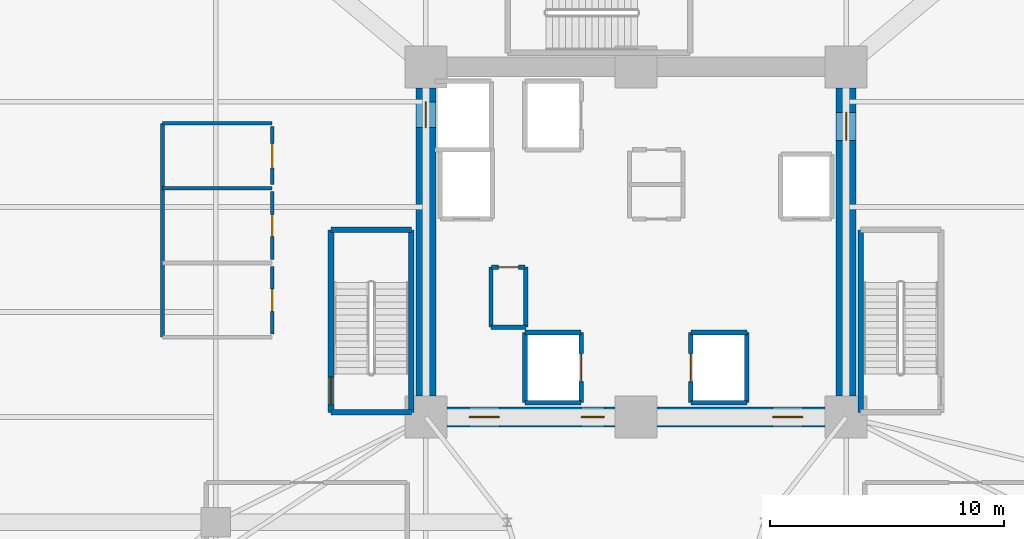
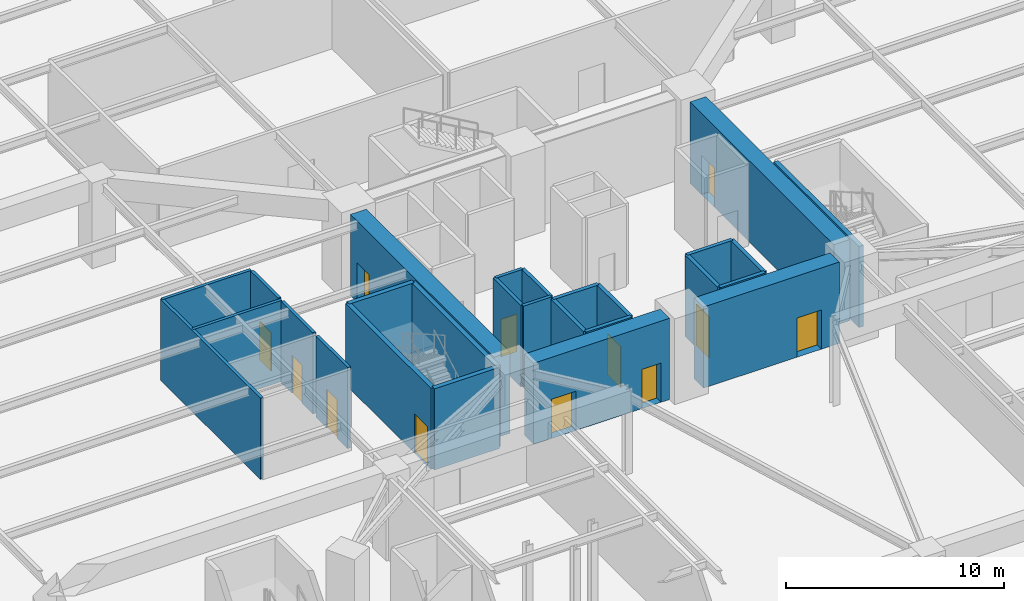
# One storey, part 12 of 20: 27 walls, 12 doors, 12 openings.
"""IFC4 building model written with IfcOpenShell, lengths in metres."""

from ifc_helpers import new_model, si_unit, direction, frame, frame_2d, origin, place, context, subcontext, project, spatial, rectangle, extrude, source, transform, mapped, material, layer, layer_set, type_object, element, fill, save


model = new_model("IFC4")

# Units and contexts
model_context = context("Model", 3, precision=1e-05, world=origin(), true_north=direction((0.0, 1.0)))
body_context = subcontext(model_context, "Body", "Model", "MODEL_VIEW")
ifc_project = project(units=[si_unit("LENGTHUNIT", "METRE"), si_unit("AREAUNIT", "SQUARE_METRE"), si_unit("VOLUMEUNIT", "CUBIC_METRE"), si_unit("PLANEANGLEUNIT", "RADIAN"), si_unit("MASSUNIT", "GRAM", prefix="KILO")], contexts=[model_context])

# Site, building, storey
site_placement = place(None, origin())
site = spatial("IfcSite", under=ifc_project, at=site_placement, CompositionType="ELEMENT")
building_placement = place(site_placement, origin())
building = spatial("IfcBuilding", under=site, at=building_placement, Name="Liaohun Quay Tower", CompositionType="ELEMENT")
storey_placement = place(building_placement, frame((0.0, 0.0, -4.800048828125)))
storey = spatial("IfcBuildingStorey", under=building, at=storey_placement, Name="B1", CompositionType="ELEMENT", Elevation=-4.800048828125)

# Wall, opening, door
ifc_material_1 = material(Name="Concrete C60", Category="concrete")
ifc_layer_1 = layer(ifc_material_1, 0.85009765625, Name="Concrete C60", Category="concrete")
ifc_layer_set_1 = layer_set([ifc_layer_1], Name="Concrete C60")
wall_type_1 = type_object("IfcWallType", Name="WAL-COR-Z1", PredefinedType="SHEAR", material=ifc_layer_set_1)
wall_1_placement = place(storey_placement, frame((69.0, 60.60009765625, 0.0), z_axis=(0.0, 0.0, 1.0), x_axis=(0.0, -1.0, 0.0)))
wall_1 = element("IfcWall", 1, at=wall_1_placement, inside=storey, type_object=wall_type_1, Name="B1 Central Core Shear Wall E", PredefinedType="SHEAR", context=body_context, shape_type="SweptSolid", body=[
    extrude(rectangle(XDim=13.2001953125, YDim=0.85009765625, at=frame_2d((6.60009765625, 0.0))), origin(), (0.0, 0.0, 1.0), 4.550048828125),
])
shared_shape_1 = source(origin(), body_context, "Body", "SweptSolid", [
    extrude(rectangle(XDim=1.199951171875, YDim=2.199951171875, at=frame_2d((0.60009765625, 1.10009765625))), frame((0.0, 0.43505859375, 0.0), z_axis=(0.0, -1.0, 0.0), x_axis=(1.0, 0.0, 0.0)), (0.0, 0.0, 1.0), 0.8701171875),
])
opening_1_placement = place(wall_1_placement, frame((1.050048828125, 0.0, 0.0)))
opening_1 = element("IfcOpeningElement", 2, at=opening_1_placement, cuts=wall_1, Name="Opening SD1", PredefinedType="OPENING", context=body_context, shape_type="MappedRepresentation", body=[
    mapped(shared_shape_1, transform((0.0, 0.0, 0.0), x_axis=(1.0, 0.0, 0.0), y_axis=(0.0, 1.0, 0.0), z_axis=(0.0, 0.0, 1.0), scale=1.0)),
])
ifc_material_2 = material(Name="Galvanised steel fire door", Category="steel")
door_type_1 = type_object("IfcDoorType", Name="DOR-STR-1200", OperationType="NOTDEFINED", PredefinedType="DOOR", material=ifc_material_2)
shared_shape_2 = source(origin(), body_context, "Body", "SweptSolid", [
    extrude(rectangle(XDim=1.199951171875, YDim=2.199951171875, at=frame_2d((0.60009765625, 1.10009765625))), frame((0.0, 0.02490234375, 0.0), z_axis=(0.0, -1.0, 0.0), x_axis=(1.0, 0.0, 0.0)), (0.0, 0.0, 1.0), 0.050048828125),
])
door_1_placement = place(opening_1_placement, origin())
door_1 = element("IfcDoor", 3, at=door_1_placement, inside=storey, type_object=door_type_1, Name="B1 North-East Core Lobby Smokeproof Door", OperationType="SINGLE_SWING_LEFT", OverallHeight=2.199951171875, OverallWidth=1.199951171875, PredefinedType="DOOR", context=body_context, shape_type="MappedRepresentation", body=[
    mapped(shared_shape_2, transform((0.0, 0.0, 0.0), x_axis=(1.0, 0.0, 0.0), y_axis=(0.0, 1.0, 0.0), z_axis=(0.0, 0.0, 1.0), scale=1.0)),
])
fill(opening_1, door_1)

wall_2_placement = place(storey_placement, frame((68.10009765625, 46.5, 0.0), z_axis=(0.0, 0.0, 1.0), x_axis=(-1.0, 0.0, 0.0)))
wall_2 = element("IfcWall", 4, at=wall_2_placement, inside=storey, type_object=wall_type_1, Name="B1 Central Core Shear Wall S-E", PredefinedType="SHEAR", context=body_context, shape_type="SweptSolid", body=[
    extrude(rectangle(XDim=7.2001953125, YDim=0.85009765625, at=frame_2d((3.60009765625, 0.0))), origin(), (0.0, 0.0, 1.0), 4.550048828125),
])
shared_shape_3 = source(origin(), body_context, "Body", "SweptSolid", [
    extrude(rectangle(XDim=1.300048828125, YDim=2.199951171875, at=frame_2d((0.64990234375, 1.10009765625))), frame((0.0, 0.43505859375, 0.0), z_axis=(0.0, -1.0, 0.0), x_axis=(1.0, 0.0, 0.0)), (0.0, 0.0, 1.0), 0.8701171875),
])
opening_2_placement = place(wall_2_placement, frame((0.949951171875, 0.0, 0.0)))
opening_2 = element("IfcOpeningElement", 5, at=opening_2_placement, cuts=wall_2, Name="Opening FD1", PredefinedType="OPENING", context=body_context, shape_type="MappedRepresentation", body=[
    mapped(shared_shape_3, transform((0.0, 0.0, 0.0), x_axis=(1.0, 0.0, 0.0), y_axis=(0.0, 1.0, 0.0), z_axis=(0.0, 0.0, 1.0), scale=1.0)),
])
ifc_material_3 = material(Name="Galvanised steel smokeproof fire door", Category="steel")
door_type_2 = type_object("IfcDoorType", Name="DOR-FFL-1300", OperationType="NOTDEFINED", PredefinedType="DOOR", material=ifc_material_3)
shared_shape_4 = source(origin(), body_context, "Body", "SweptSolid", [
    extrude(rectangle(XDim=1.300048828125, YDim=2.199951171875, at=frame_2d((0.64990234375, 1.10009765625))), frame((0.0, 0.02490234375, 0.0), z_axis=(0.0, -1.0, 0.0), x_axis=(1.0, 0.0, 0.0)), (0.0, 0.0, 1.0), 0.050048828125),
])
door_2_placement = place(opening_2_placement, origin())
door_2 = element("IfcDoor", 6, at=door_2_placement, inside=storey, type_object=door_type_2, Name="B1 East Core Lift Lobby Smokeproof Door", OperationType="SINGLE_SWING_LEFT", OverallHeight=2.199951171875, OverallWidth=1.300048828125, PredefinedType="DOOR", context=body_context, shape_type="MappedRepresentation", body=[
    mapped(shared_shape_4, transform((0.0, 0.0, 0.0), x_axis=(1.0, 0.0, 0.0), y_axis=(0.0, 1.0, 0.0), z_axis=(0.0, 0.0, 1.0), scale=1.0)),
])
fill(opening_2, door_2)

# Wall, openings, doors
wall_3_placement = place(storey_placement, frame((59.10009765625, 46.5, 0.0), z_axis=(0.0, 0.0, 1.0), x_axis=(-1.0, 0.0, 0.0)))
wall_3 = element("IfcWall", 7, at=wall_3_placement, inside=storey, type_object=wall_type_1, Name="B1 Central Core Shear Wall S-W", PredefinedType="SHEAR", context=body_context, shape_type="SweptSolid", body=[
    extrude(rectangle(XDim=7.2001953125, YDim=0.85009765625, at=frame_2d((3.60009765625, 0.0))), origin(), (0.0, 0.0, 1.0), 4.550048828125),
])
opening_3_placement = place(wall_3_placement, frame((4.949951171875, 0.0, 0.0)))
opening_3 = element("IfcOpeningElement", 8, at=opening_3_placement, cuts=wall_3, Name="Opening FD1", PredefinedType="OPENING", context=body_context, shape_type="MappedRepresentation", body=[
    mapped(shared_shape_3, transform((0.0, 0.0, 0.0), x_axis=(1.0, 0.0, 0.0), y_axis=(0.0, 1.0, 0.0), z_axis=(0.0, 0.0, 1.0), scale=1.0)),
])
shared_shape_5 = source(origin(), body_context, "Body", "SweptSolid", [
    extrude(rectangle(XDim=1.0, YDim=2.199951171875, at=frame_2d((0.5, 1.10009765625))), frame((0.0, 0.43505859375, 0.0), z_axis=(0.0, -1.0, 0.0), x_axis=(1.0, 0.0, 0.0)), (0.0, 0.0, 1.0), 0.8701171875),
])
opening_4_placement = place(wall_3_placement, frame((0.449951171875, 0.0, 0.0)))
opening_4 = element("IfcOpeningElement", 9, at=opening_4_placement, cuts=wall_3, Name="Opening FD2", PredefinedType="OPENING", context=body_context, shape_type="MappedRepresentation", body=[
    mapped(shared_shape_5, transform((0.0, 0.0, 0.0), x_axis=(1.0, 0.0, 0.0), y_axis=(0.0, 1.0, 0.0), z_axis=(0.0, 0.0, 1.0), scale=1.0)),
])
door_3_placement = place(opening_3_placement, origin())
door_3 = element("IfcDoor", 10, at=door_3_placement, inside=storey, type_object=door_type_2, Name="B1 West Core Lift Lobby Smokeproof Door", OperationType="SINGLE_SWING_RIGHT", OverallHeight=2.199951171875, OverallWidth=1.300048828125, PredefinedType="DOOR", context=body_context, shape_type="MappedRepresentation", body=[
    mapped(shared_shape_4, transform((0.0, 0.0, 0.0), x_axis=(1.0, 0.0, 0.0), y_axis=(0.0, 1.0, 0.0), z_axis=(0.0, 0.0, 1.0), scale=1.0)),
])
fill(opening_3, door_3)
ifc_material_4 = material(Name="Galvanised steel smokeproof lobby fire door", Category="steel")
door_type_3 = type_object("IfcDoorType", Name="DOR-FFL-1000", OperationType="NOTDEFINED", PredefinedType="DOOR", material=ifc_material_4)
shared_shape_6 = source(origin(), body_context, "Body", "SweptSolid", [
    extrude(rectangle(XDim=1.0, YDim=2.199951171875, at=frame_2d((0.5, 1.10009765625))), frame((0.0, 0.02490234375, 0.0), z_axis=(0.0, -1.0, 0.0), x_axis=(1.0, 0.0, 0.0)), (0.0, 0.0, 1.0), 0.050048828125),
])
door_4_placement = place(opening_4_placement, origin())
door_4 = element("IfcDoor", 11, at=door_4_placement, inside=storey, type_object=door_type_3, Name="B1 South Firefighting Lobby Smokeproof Door", OperationType="SINGLE_SWING_LEFT", OverallHeight=2.199951171875, OverallWidth=1.0, PredefinedType="DOOR", context=body_context, shape_type="MappedRepresentation", body=[
    mapped(shared_shape_6, transform((0.0, 0.0, 0.0), x_axis=(1.0, 0.0, 0.0), y_axis=(0.0, 1.0, 0.0), z_axis=(0.0, 0.0, 1.0), scale=1.0)),
])
fill(opening_4, door_4)

# Wall, opening, door
wall_4_placement = place(storey_placement, frame((51.0, 47.39990234375, 0.0), z_axis=(0.0, 0.0, 1.0), x_axis=(0.0, 1.0, 0.0)))
wall_4 = element("IfcWall", 12, at=wall_4_placement, inside=storey, type_object=wall_type_1, Name="B1 Central Core Shear Wall W", PredefinedType="SHEAR", context=body_context, shape_type="SweptSolid", body=[
    extrude(rectangle(XDim=13.2001953125, YDim=0.85009765625, at=frame_2d((6.60009765625, 0.0))), origin(), (0.0, 0.0, 1.0), 4.550048828125),
])
shared_shape_7 = source(origin(), body_context, "Body", "SweptSolid", [
    extrude(rectangle(XDim=1.10009765625, YDim=2.199951171875, at=frame_2d((0.550048828125, 1.10009765625))), frame((0.0, 0.43505859375, 0.0), z_axis=(0.0, -1.0, 0.0), x_axis=(1.0, 0.0, 0.0)), (0.0, 0.0, 1.0), 0.8701171875),
])
opening_5_placement = place(wall_4_placement, frame((11.5, 0.0, 0.0)))
opening_5 = element("IfcOpeningElement", 13, at=opening_5_placement, cuts=wall_4, Name="Opening LD1", PredefinedType="OPENING", context=body_context, shape_type="MappedRepresentation", body=[
    mapped(shared_shape_7, transform((0.0, 0.0, 0.0), x_axis=(1.0, 0.0, 0.0), y_axis=(0.0, 1.0, 0.0), z_axis=(0.0, 0.0, 1.0), scale=1.0)),
])
ifc_material_5 = material(Name="Brushed stainless steel landing door", Category="steel")
door_type_4 = type_object("IfcDoorType", Name="DOR-LFT-1100", OperationType="SLIDING_TO_LEFT", PredefinedType="DOOR", material=ifc_material_5)
shared_shape_8 = source(origin(), body_context, "Body", "SweptSolid", [
    extrude(rectangle(XDim=1.10009765625, YDim=2.199951171875, at=frame_2d((0.550048828125, 1.10009765625))), frame((0.0, 0.02490234375, 0.0), z_axis=(0.0, -1.0, 0.0), x_axis=(1.0, 0.0, 0.0)), (0.0, 0.0, 1.0), 0.050048828125),
])
door_5_placement = place(opening_5_placement, origin())
door_5 = element("IfcDoor", 14, at=door_5_placement, inside=storey, type_object=door_type_4, Name="B1 Lift SH-01 Sliding Landing Door", OperationType="SLIDING_TO_LEFT", OverallHeight=2.199951171875, OverallWidth=1.10009765625, PredefinedType="DOOR", context=body_context, shape_type="MappedRepresentation", body=[
    mapped(shared_shape_8, transform((0.0, 0.0, 0.0), x_axis=(1.0, 0.0, 0.0), y_axis=(0.0, 1.0, 0.0), z_axis=(0.0, 0.0, 1.0), scale=1.0)),
])
fill(opening_5, door_5)

ifc_material_6 = material(Name="Autoclaved aerated concrete blockwork", Category="masonry")
ifc_layer_2 = layer(ifc_material_6, 0.179931640625, Name="Autoclaved aerated concrete blockwork", Category="masonry")
ifc_layer_set_2 = layer_set([ifc_layer_2], Name="Autoclaved aerated concrete blockwork")
wall_type_2 = type_object("IfcWallType", Name="WAL-PRT-COR", PredefinedType="PARTITIONING", material=ifc_layer_set_2)
wall_5_placement = place(storey_placement, frame((53.820068359375, 52.919921875, 0.0), z_axis=(0.0, 0.0, 1.0), x_axis=(1.0, 0.0, 0.0)))
wall_5 = element("IfcWall", 15, at=wall_5_placement, inside=storey, type_object=wall_type_2, Name="B1 Interior Partition Wall 003", PredefinedType="PARTITIONING", context=body_context, shape_type="SweptSolid", body=[
    extrude(rectangle(XDim=1.429931640625, YDim=0.179931640625, at=frame_2d((0.71484375, 0.0))), origin(), (0.0, 0.0, 1.0), 4.550048828125),
])
shared_shape_9 = source(origin(), body_context, "Body", "SweptSolid", [
    extrude(rectangle(XDim=0.85009765625, YDim=2.10009765625, at=frame_2d((0.425048828125, 1.050048828125))), frame((0.0, 0.099853515625, 0.0), z_axis=(0.0, -1.0, 0.0), x_axis=(1.0, 0.0, 0.0)), (0.0, 0.0, 1.0), 0.199951171875),
])
opening_6_placement = place(wall_5_placement, frame((0.2900390625, 0.0, 0.0)))
opening_6 = element("IfcOpeningElement", 16, at=opening_6_placement, cuts=wall_5, Name="Opening AD1", PredefinedType="OPENING", context=body_context, shape_type="MappedRepresentation", body=[
    mapped(shared_shape_9, transform((0.0, 0.0, 0.0), x_axis=(1.0, 0.0, 0.0), y_axis=(0.0, 1.0, 0.0), z_axis=(0.0, 0.0, 1.0), scale=1.0)),
])
ifc_material_7 = material(Name="Steel riser inspection fire door", Category="steel")
door_type_5 = type_object("IfcDoorType", Name="DOR-SHF-850", OperationType="NOTDEFINED", PredefinedType="DOOR", material=ifc_material_7)
shared_shape_10 = source(origin(), body_context, "Body", "SweptSolid", [
    extrude(rectangle(XDim=0.85009765625, YDim=2.10009765625, at=frame_2d((0.425048828125, 1.050048828125))), frame((0.0, 0.02490234375, 0.0), z_axis=(0.0, -1.0, 0.0), x_axis=(1.0, 0.0, 0.0)), (0.0, 0.0, 1.0), 0.050048828125),
])
door_6_placement = place(opening_6_placement, origin())
door_6 = element("IfcDoor", 17, at=door_6_placement, inside=storey, type_object=door_type_5, Name="B1 Core Fire Hose and Riser Closet Door", OperationType="SINGLE_SWING_RIGHT", OverallHeight=2.10009765625, OverallWidth=0.85009765625, PredefinedType="DOOR", context=body_context, shape_type="MappedRepresentation", body=[
    mapped(shared_shape_10, transform((0.0, 0.0, 0.0), x_axis=(1.0, 0.0, 0.0), y_axis=(0.0, 1.0, 0.0), z_axis=(0.0, 0.0, 1.0), scale=1.0)),
])
fill(opening_6, door_6)

# Walls
wall_6_placement = place(storey_placement, frame((53.7900390625, 50.35009765625, 0.0), z_axis=(0.0, 0.0, 1.0), x_axis=(0.0, 1.0, 0.0)))
element("IfcWall", 18, at=wall_6_placement, inside=storey, type_object=wall_type_2, Name="B1 Interior Partition Wall 014", PredefinedType="PARTITIONING", context=body_context, shape_type="SweptSolid", body=[
    extrude(rectangle(XDim=2.56982421875, YDim=0.179931640625, at=frame_2d((1.284912109375, 0.0))), origin(), (0.0, 0.0, 1.0), 4.550048828125),
])
wall_7_placement = place(storey_placement, frame((53.7900390625, 50.35009765625, 0.0), z_axis=(0.0, 0.0, 1.0), x_axis=(1.0, 0.0, 0.0)))
element("IfcWall", 19, at=wall_7_placement, inside=storey, type_object=wall_type_2, Name="B1 Interior Partition Wall 015", PredefinedType="PARTITIONING", context=body_context, shape_type="SweptSolid", body=[
    extrude(rectangle(XDim=1.489990234375, YDim=0.179931640625, at=frame_2d((0.7451171875, 0.0))), origin(), (0.0, 0.0, 1.0), 4.550048828125),
])
wall_8_placement = place(storey_placement, frame((55.280029296875, 50.35009765625, 0.0), z_axis=(0.0, 0.0, 1.0), x_axis=(0.0, 1.0, 0.0)))
element("IfcWall", 20, at=wall_8_placement, inside=storey, type_object=wall_type_2, Name="B1 Interior Partition Wall 016", PredefinedType="PARTITIONING", context=body_context, shape_type="SweptSolid", body=[
    extrude(rectangle(XDim=2.56982421875, YDim=0.179931640625, at=frame_2d((1.284912109375, 0.0))), origin(), (0.0, 0.0, 1.0), 4.550048828125),
])

# Wall, opening, door
ifc_material_8 = material(Name="Moisture-resistant masonry blockwork", Category="masonry")
ifc_layer_3 = layer(ifc_material_8, 0.159912109375, Name="Moisture-resistant masonry blockwork", Category="masonry")
ifc_layer_set_3 = layer_set([ifc_layer_3], Name="Moisture-resistant masonry blockwork")
wall_type_3 = type_object("IfcWallType", Name="WAL-PRT-WET", PredefinedType="PARTITIONING", material=ifc_layer_set_3)
wall_9_placement = place(storey_placement, frame((44.419921875, 50.050048828125, 0.0), z_axis=(0.0, 0.0, 1.0), x_axis=(0.0, 1.0, 0.0)))
wall_9 = element("IfcWall", 21, at=wall_9_placement, inside=storey, type_object=wall_type_3, Name="B1 Interior Partition Wall 004", PredefinedType="PARTITIONING", context=body_context, shape_type="SweptSolid", body=[
    extrude(rectangle(XDim=2.89990234375, YDim=0.159912109375, at=frame_2d((1.449951171875, 0.0))), origin(), (0.0, 0.0, 1.0), 4.550048828125),
])
shared_shape_11 = source(origin(), body_context, "Body", "SweptSolid", [
    extrude(rectangle(XDim=0.949951171875, YDim=2.14990234375, at=frame_2d((0.47509765625, 1.074951171875))), frame((0.0, 0.08984375, 0.0), z_axis=(0.0, -1.0, 0.0), x_axis=(1.0, 0.0, 0.0)), (0.0, 0.0, 1.0), 0.179931640625),
])
opening_7_placement = place(wall_9_placement, frame((0.97509765625, 0.0, 0.0)))
opening_7 = element("IfcOpeningElement", 22, at=opening_7_placement, cuts=wall_9, Name="Opening WD1", PredefinedType="OPENING", context=body_context, shape_type="MappedRepresentation", body=[
    mapped(shared_shape_11, transform((0.0, 0.0, 0.0), x_axis=(1.0, 0.0, 0.0), y_axis=(0.0, 1.0, 0.0), z_axis=(0.0, 0.0, 1.0), scale=1.0)),
])
ifc_material_9 = material(Name="Moisture-resistant laminate timber leaf", Category="wood")
door_type_6 = type_object("IfcDoorType", Name="DOR-WC-950", OperationType="NOTDEFINED", PredefinedType="DOOR", material=ifc_material_9)
shared_shape_12 = source(origin(), body_context, "Body", "SweptSolid", [
    extrude(rectangle(XDim=0.949951171875, YDim=2.14990234375, at=frame_2d((0.47509765625, 1.074951171875))), frame((0.0, 0.02490234375, 0.0), z_axis=(0.0, -1.0, 0.0), x_axis=(1.0, 0.0, 0.0)), (0.0, 0.0, 1.0), 0.050048828125),
])
door_7_placement = place(opening_7_placement, origin())
door_7 = element("IfcDoor", 23, at=door_7_placement, inside=storey, type_object=door_type_6, Name="B1 Basement Male Restroom WC Door", OperationType="SINGLE_SWING_LEFT", OverallHeight=2.14990234375, OverallWidth=0.949951171875, PredefinedType="DOOR", context=body_context, shape_type="MappedRepresentation", body=[
    mapped(shared_shape_12, transform((0.0, 0.0, 0.0), x_axis=(1.0, 0.0, 0.0), y_axis=(0.0, 1.0, 0.0), z_axis=(0.0, 0.0, 1.0), scale=1.0)),
])
fill(opening_7, door_7)

wall_10_placement = place(storey_placement, frame((44.419921875, 53.25, 0.0), z_axis=(0.0, 0.0, 1.0), x_axis=(0.0, 1.0, 0.0)))
wall_10 = element("IfcWall", 24, at=wall_10_placement, inside=storey, type_object=wall_type_3, Name="B1 Interior Partition Wall 005", PredefinedType="PARTITIONING", context=body_context, shape_type="SweptSolid", body=[
    extrude(rectangle(XDim=2.89990234375, YDim=0.159912109375, at=frame_2d((1.449951171875, 0.0))), origin(), (0.0, 0.0, 1.0), 4.550048828125),
])
opening_8_placement = place(wall_10_placement, frame((0.97509765625, 0.0, 0.0)))
opening_8 = element("IfcOpeningElement", 25, at=opening_8_placement, cuts=wall_10, Name="Opening WD1", PredefinedType="OPENING", context=body_context, shape_type="MappedRepresentation", body=[
    mapped(shared_shape_11, transform((0.0, 0.0, 0.0), x_axis=(1.0, 0.0, 0.0), y_axis=(0.0, 1.0, 0.0), z_axis=(0.0, 0.0, 1.0), scale=1.0)),
])
door_8_placement = place(opening_8_placement, origin())
door_8 = element("IfcDoor", 26, at=door_8_placement, inside=storey, type_object=door_type_6, Name="B1 Basement Female Restroom WC Door", OperationType="SINGLE_SWING_RIGHT", OverallHeight=2.14990234375, OverallWidth=0.949951171875, PredefinedType="DOOR", context=body_context, shape_type="MappedRepresentation", body=[
    mapped(shared_shape_12, transform((0.0, 0.0, 0.0), x_axis=(1.0, 0.0, 0.0), y_axis=(0.0, 1.0, 0.0), z_axis=(0.0, 0.0, 1.0), scale=1.0)),
])
fill(opening_8, door_8)

wall_11_placement = place(storey_placement, frame((44.419921875, 56.449951171875, 0.0), z_axis=(0.0, 0.0, 1.0), x_axis=(0.0, 1.0, 0.0)))
wall_11 = element("IfcWall", 27, at=wall_11_placement, inside=storey, type_object=wall_type_3, Name="B1 Interior Partition Wall 006", PredefinedType="PARTITIONING", context=body_context, shape_type="SweptSolid", body=[
    extrude(rectangle(XDim=2.5, YDim=0.159912109375, at=frame_2d((1.25, 0.0))), origin(), (0.0, 0.0, 1.0), 4.550048828125),
])
shared_shape_13 = source(origin(), body_context, "Body", "SweptSolid", [
    extrude(rectangle(XDim=1.050048828125, YDim=2.14990234375, at=frame_2d((0.52490234375, 1.074951171875))), frame((0.0, 0.08984375, 0.0), z_axis=(0.0, -1.0, 0.0), x_axis=(1.0, 0.0, 0.0)), (0.0, 0.0, 1.0), 0.179931640625),
])
opening_9_placement = place(wall_11_placement, frame((0.72509765625, 0.0, 0.0)))
opening_9 = element("IfcOpeningElement", 28, at=opening_9_placement, cuts=wall_11, Name="Opening WD2", PredefinedType="OPENING", context=body_context, shape_type="MappedRepresentation", body=[
    mapped(shared_shape_13, transform((0.0, 0.0, 0.0), x_axis=(1.0, 0.0, 0.0), y_axis=(0.0, 1.0, 0.0), z_axis=(0.0, 0.0, 1.0), scale=1.0)),
])
ifc_material_10 = material(Name="Accessible outward-swinging laminate door")
door_type_7 = type_object("IfcDoorType", Name="DOR-AWC-1050", OperationType="NOTDEFINED", PredefinedType="DOOR", material=ifc_material_10)
shared_shape_14 = source(origin(), body_context, "Body", "SweptSolid", [
    extrude(rectangle(XDim=1.050048828125, YDim=2.14990234375, at=frame_2d((0.52490234375, 1.074951171875))), frame((0.0, 0.02490234375, 0.0), z_axis=(0.0, -1.0, 0.0), x_axis=(1.0, 0.0, 0.0)), (0.0, 0.0, 1.0), 0.050048828125),
])
door_9_placement = place(opening_9_placement, origin())
door_9 = element("IfcDoor", 29, at=door_9_placement, inside=storey, type_object=door_type_7, Name="B1 Basement Accessible WC Door", OperationType="SINGLE_SWING_LEFT", OverallHeight=2.14990234375, OverallWidth=1.050048828125, PredefinedType="DOOR", context=body_context, shape_type="MappedRepresentation", body=[
    mapped(shared_shape_14, transform((0.0, 0.0, 0.0), x_axis=(1.0, 0.0, 0.0), y_axis=(0.0, 1.0, 0.0), z_axis=(0.0, 0.0, 1.0), scale=1.0)),
])
fill(opening_9, door_9)

# Walls
wall_12_placement = place(storey_placement, frame((39.719970703125, 49.919921875, 0.0), z_axis=(0.0, 0.0, 1.0), x_axis=(0.0, 1.0, 0.0)))
element("IfcWall", 30, at=wall_12_placement, inside=storey, type_object=wall_type_3, Name="B1 Interior Partition Wall 017", PredefinedType="PARTITIONING", context=body_context, shape_type="SweptSolid", body=[
    extrude(rectangle(XDim=9.16015625, YDim=0.159912109375, at=frame_2d((4.580078125, 0.0))), origin(), (0.0, 0.0, 1.0), 4.550048828125),
])
for number, where, z_axis, x_axis, name in (
    (31, (39.719970703125, 56.300048828125, 0.0), (0.0, 0.0, 1.0), (1.0, 0.0, 0.0), "B1 Interior Partition Wall 020"),
    (32, (39.719970703125, 59.080078125, 0.0), (0.0, 0.0, 1.0), (1.0, 0.0, 0.0), "B1 Interior Partition Wall 021"),
):
    element("IfcWall", number, at=place(storey_placement, frame(where, z_axis=z_axis, x_axis=x_axis)), inside=storey, type_object=wall_type_3, Name=name, PredefinedType="PARTITIONING", context=body_context, shape_type="SweptSolid", body=[
        extrude(rectangle(XDim=4.699951171875, YDim=0.159912109375, at=frame_2d((2.35009765625, 0.0))), origin(), (0.0, 0.0, 1.0), 4.550048828125),
    ])
ifc_material_11 = material(Name="Concrete C50", Category="concrete")
ifc_layer_4 = layer(ifc_material_11, 0.239990234375, Name="Concrete C50", Category="concrete")
ifc_layer_set_4 = layer_set([ifc_layer_4], Name="Concrete C50")
wall_type_4 = type_object("IfcWallType", Name="WAL-SHF-200", PredefinedType="SOLIDWALL", material=ifc_layer_set_4)
wall_13_placement = place(storey_placement, frame((46.93994140625, 46.699951171875, 0.0), z_axis=(0.0, 0.0, 1.0), x_axis=(1.0, 0.0, 0.0)))
element("IfcWall", 33, at=wall_13_placement, inside=storey, type_object=wall_type_4, Name="B1 Stairwell ST-1 Structural Core Wall S", PredefinedType="SOLIDWALL", context=body_context, shape_type="SweptSolid", body=[
    extrude(rectangle(XDim=3.43994140625, YDim=0.239990234375, at=frame_2d((1.719970703125, 0.0))), origin(), (0.0, 0.0, 1.0), 4.550048828125),
])
wall_14_placement = place(storey_placement, frame((50.3798828125, 46.699951171875, 0.0), z_axis=(0.0, 0.0, 1.0), x_axis=(0.0, 1.0, 0.0)))
element("IfcWall", 34, at=wall_14_placement, inside=storey, type_object=wall_type_4, Name="B1 Stairwell ST-1 Structural Core Wall E", PredefinedType="SOLIDWALL", context=body_context, shape_type="SweptSolid", body=[
    extrude(rectangle(XDim=7.820068359375, YDim=0.239990234375, at=frame_2d((3.91015625, 0.0))), origin(), (0.0, 0.0, 1.0), 4.550048828125),
])
wall_15_placement = place(storey_placement, frame((50.3798828125, 54.52001953125, 0.0), z_axis=(0.0, 0.0, 1.0), x_axis=(-1.0, 0.0, 0.0)))
element("IfcWall", 35, at=wall_15_placement, inside=storey, type_object=wall_type_4, Name="B1 Stairwell ST-1 Structural Core Wall N", PredefinedType="SOLIDWALL", context=body_context, shape_type="SweptSolid", body=[
    extrude(rectangle(XDim=3.43994140625, YDim=0.239990234375, at=frame_2d((1.719970703125, 0.0))), origin(), (0.0, 0.0, 1.0), 4.550048828125),
])

# Wall, opening, door
wall_16_placement = place(storey_placement, frame((46.93994140625, 54.52001953125, 0.0), z_axis=(0.0, 0.0, 1.0), x_axis=(0.0, -1.0, 0.0)))
wall_16 = element("IfcWall", 36, at=wall_16_placement, inside=storey, type_object=wall_type_4, Name="B1 Stairwell ST-1 Structural Core Wall W", PredefinedType="SOLIDWALL", context=body_context, shape_type="SweptSolid", body=[
    extrude(rectangle(XDim=7.820068359375, YDim=0.239990234375, at=frame_2d((3.91015625, 0.0))), origin(), (0.0, 0.0, 1.0), 4.550048828125),
])
shared_shape_15 = source(origin(), body_context, "Body", "SweptSolid", [
    extrude(rectangle(XDim=1.199951171875, YDim=2.199951171875, at=frame_2d((0.60009765625, 1.10009765625))), frame((0.0, 0.1298828125, 0.0), z_axis=(0.0, -1.0, 0.0), x_axis=(1.0, 0.0, 0.0)), (0.0, 0.0, 1.0), 0.260009765625),
])
opening_10_placement = place(wall_16_placement, frame((6.300048828125, 0.0, 0.0)))
opening_10 = element("IfcOpeningElement", 37, at=opening_10_placement, cuts=wall_16, Name="Opening SD1", PredefinedType="OPENING", context=body_context, shape_type="MappedRepresentation", body=[
    mapped(shared_shape_15, transform((0.0, 0.0, 0.0), x_axis=(1.0, 0.0, 0.0), y_axis=(0.0, 1.0, 0.0), z_axis=(0.0, 0.0, 1.0), scale=1.0)),
])
door_10_placement = place(opening_10_placement, origin())
door_10 = element("IfcDoor", 38, at=door_10_placement, inside=storey, type_object=door_type_1, Name="B1 Protected Stair ST-1 Fire Door", OperationType="SINGLE_SWING_LEFT", OverallHeight=2.199951171875, OverallWidth=1.199951171875, PredefinedType="DOOR", context=body_context, shape_type="MappedRepresentation", body=[
    mapped(shared_shape_2, transform((0.0, 0.0, 0.0), x_axis=(1.0, 0.0, 0.0), y_axis=(0.0, 1.0, 0.0), z_axis=(0.0, 0.0, 1.0), scale=1.0)),
])
fill(opening_10, door_10)

# Walls
wall_17_placement = place(storey_placement, frame((69.6201171875, 54.52001953125, 0.0), z_axis=(0.0, 0.0, 1.0), x_axis=(0.0, -1.0, 0.0)))
element("IfcWall", 39, at=wall_17_placement, inside=storey, type_object=wall_type_4, Name="B1 Stairwell ST-2 Structural Core Wall W", PredefinedType="SOLIDWALL", context=body_context, shape_type="SweptSolid", body=[
    extrude(rectangle(XDim=7.820068359375, YDim=0.239990234375, at=frame_2d((3.91015625, 0.0))), origin(), (0.0, 0.0, 1.0), 4.550048828125),
])
wall_18_placement = place(storey_placement, frame((55.25, 47.1201171875, 0.0), z_axis=(0.0, 0.0, 1.0), x_axis=(1.0, 0.0, 0.0)))
element("IfcWall", 40, at=wall_18_placement, inside=storey, type_object=wall_type_4, Name="B1 Lift FF-01 Hoistway Wall S", PredefinedType="SOLIDWALL", context=body_context, shape_type="SweptSolid", body=[
    extrude(rectangle(XDim=2.39990234375, YDim=0.199951171875, at=frame_2d((1.199951171875, 0.0))), origin(), (0.0, 0.0, 1.0), 4.550048828125),
])

# Wall, opening, door
wall_19_placement = place(storey_placement, frame((57.64990234375, 47.1201171875, 0.0), z_axis=(0.0, 0.0, 1.0), x_axis=(0.0, 1.0, 0.0)))
wall_19 = element("IfcWall", 41, at=wall_19_placement, inside=storey, type_object=wall_type_4, Name="B1 Lift FF-01 Hoistway Wall E", PredefinedType="SOLIDWALL", context=body_context, shape_type="SweptSolid", body=[
    extrude(rectangle(XDim=3.0, YDim=0.199951171875, at=frame_2d((1.5, 0.0))), origin(), (0.0, 0.0, 1.0), 4.550048828125),
])
shared_shape_16 = source(origin(), body_context, "Body", "SweptSolid", [
    extrude(rectangle(XDim=1.199951171875, YDim=2.300048828125, at=frame_2d((0.60009765625, 1.14990234375))), frame((0.0, 0.10986328125, 0.0), z_axis=(0.0, -1.0, 0.0), x_axis=(1.0, 0.0, 0.0)), (0.0, 0.0, 1.0), 0.219970703125),
])
opening_11_placement = place(wall_19_placement, frame((0.89990234375, 0.0, 0.0)))
opening_11 = element("IfcOpeningElement", 42, at=opening_11_placement, cuts=wall_19, Name="Opening LD2", PredefinedType="OPENING", context=body_context, shape_type="MappedRepresentation", body=[
    mapped(shared_shape_16, transform((0.0, 0.0, 0.0), x_axis=(1.0, 0.0, 0.0), y_axis=(0.0, 1.0, 0.0), z_axis=(0.0, 0.0, 1.0), scale=1.0)),
])
ifc_material_12 = material(Name="Brushed stainless steel stretcher landing door", Category="steel")
door_type_8 = type_object("IfcDoorType", Name="DOR-LFT-1200", OperationType="SLIDING_TO_LEFT", PredefinedType="DOOR", material=ifc_material_12)
shared_shape_17 = source(origin(), body_context, "Body", "SweptSolid", [
    extrude(rectangle(XDim=1.199951171875, YDim=2.300048828125, at=frame_2d((0.60009765625, 1.14990234375))), frame((0.0, 0.02490234375, 0.0), z_axis=(0.0, -1.0, 0.0), x_axis=(1.0, 0.0, 0.0)), (0.0, 0.0, 1.0), 0.050048828125),
])
door_11_placement = place(opening_11_placement, origin())
door_11 = element("IfcDoor", 43, at=door_11_placement, inside=storey, type_object=door_type_8, Name="B1 Lift FF-01 Sliding Landing Door", OperationType="SLIDING_TO_LEFT", OverallHeight=2.300048828125, OverallWidth=1.199951171875, PredefinedType="DOOR", context=body_context, shape_type="MappedRepresentation", body=[
    mapped(shared_shape_17, transform((0.0, 0.0, 0.0), x_axis=(1.0, 0.0, 0.0), y_axis=(0.0, 1.0, 0.0), z_axis=(0.0, 0.0, 1.0), scale=1.0)),
])
fill(opening_11, door_11)

# Walls
wall_20_placement = place(storey_placement, frame((57.64990234375, 50.1201171875, 0.0), z_axis=(0.0, 0.0, 1.0), x_axis=(-1.0, 0.0, 0.0)))
element("IfcWall", 44, at=wall_20_placement, inside=storey, type_object=wall_type_4, Name="B1 Lift FF-01 Hoistway Wall N", PredefinedType="SOLIDWALL", context=body_context, shape_type="SweptSolid", body=[
    extrude(rectangle(XDim=2.39990234375, YDim=0.199951171875, at=frame_2d((1.199951171875, 0.0))), origin(), (0.0, 0.0, 1.0), 4.550048828125),
])
wall_21_placement = place(storey_placement, frame((55.25, 50.1201171875, 0.0), z_axis=(0.0, 0.0, 1.0), x_axis=(0.0, -1.0, 0.0)))
element("IfcWall", 45, at=wall_21_placement, inside=storey, type_object=wall_type_4, Name="B1 Lift FF-01 Hoistway Wall W", PredefinedType="SOLIDWALL", context=body_context, shape_type="SweptSolid", body=[
    extrude(rectangle(XDim=3.0, YDim=0.199951171875, at=frame_2d((1.5, 0.0))), origin(), (0.0, 0.0, 1.0), 4.550048828125),
])
wall_22_placement = place(storey_placement, frame((62.35009765625, 47.1201171875, 0.0), z_axis=(0.0, 0.0, 1.0), x_axis=(1.0, 0.0, 0.0)))
element("IfcWall", 46, at=wall_22_placement, inside=storey, type_object=wall_type_4, Name="B1 Lift FF-02 Hoistway Wall S", PredefinedType="SOLIDWALL", context=body_context, shape_type="SweptSolid", body=[
    extrude(rectangle(XDim=2.39990234375, YDim=0.199951171875, at=frame_2d((1.199951171875, 0.0))), origin(), (0.0, 0.0, 1.0), 4.550048828125),
])
wall_23_placement = place(storey_placement, frame((64.75, 47.1201171875, 0.0), z_axis=(0.0, 0.0, 1.0), x_axis=(0.0, 1.0, 0.0)))
element("IfcWall", 47, at=wall_23_placement, inside=storey, type_object=wall_type_4, Name="B1 Lift FF-02 Hoistway Wall E", PredefinedType="SOLIDWALL", context=body_context, shape_type="SweptSolid", body=[
    extrude(rectangle(XDim=3.0, YDim=0.199951171875, at=frame_2d((1.5, 0.0))), origin(), (0.0, 0.0, 1.0), 4.550048828125),
])
wall_24_placement = place(storey_placement, frame((64.75, 50.1201171875, 0.0), z_axis=(0.0, 0.0, 1.0), x_axis=(-1.0, 0.0, 0.0)))
element("IfcWall", 48, at=wall_24_placement, inside=storey, type_object=wall_type_4, Name="B1 Lift FF-02 Hoistway Wall N", PredefinedType="SOLIDWALL", context=body_context, shape_type="SweptSolid", body=[
    extrude(rectangle(XDim=2.39990234375, YDim=0.199951171875, at=frame_2d((1.199951171875, 0.0))), origin(), (0.0, 0.0, 1.0), 4.550048828125),
])

# Wall, opening, door
wall_25_placement = place(storey_placement, frame((62.35009765625, 50.1201171875, 0.0), z_axis=(0.0, 0.0, 1.0), x_axis=(0.0, -1.0, 0.0)))
wall_25 = element("IfcWall", 49, at=wall_25_placement, inside=storey, type_object=wall_type_4, Name="B1 Lift FF-02 Hoistway Wall W", PredefinedType="SOLIDWALL", context=body_context, shape_type="SweptSolid", body=[
    extrude(rectangle(XDim=3.0, YDim=0.199951171875, at=frame_2d((1.5, 0.0))), origin(), (0.0, 0.0, 1.0), 4.550048828125),
])
opening_12_placement = place(wall_25_placement, frame((0.89990234375, 0.0, 0.0)))
opening_12 = element("IfcOpeningElement", 50, at=opening_12_placement, cuts=wall_25, Name="Opening LD2", PredefinedType="OPENING", context=body_context, shape_type="MappedRepresentation", body=[
    mapped(shared_shape_16, transform((0.0, 0.0, 0.0), x_axis=(1.0, 0.0, 0.0), y_axis=(0.0, 1.0, 0.0), z_axis=(0.0, 0.0, 1.0), scale=1.0)),
])
door_12_placement = place(opening_12_placement, origin())
door_12 = element("IfcDoor", 51, at=door_12_placement, inside=storey, type_object=door_type_8, Name="B1 Lift FF-02 Sliding Landing Door", OperationType="SLIDING_TO_LEFT", OverallHeight=2.300048828125, OverallWidth=1.199951171875, PredefinedType="DOOR", context=body_context, shape_type="MappedRepresentation", body=[
    mapped(shared_shape_17, transform((0.0, 0.0, 0.0), x_axis=(1.0, 0.0, 0.0), y_axis=(0.0, 1.0, 0.0), z_axis=(0.0, 0.0, 1.0), scale=1.0)),
])
fill(opening_12, door_12)

save(model, "model.ifc")
